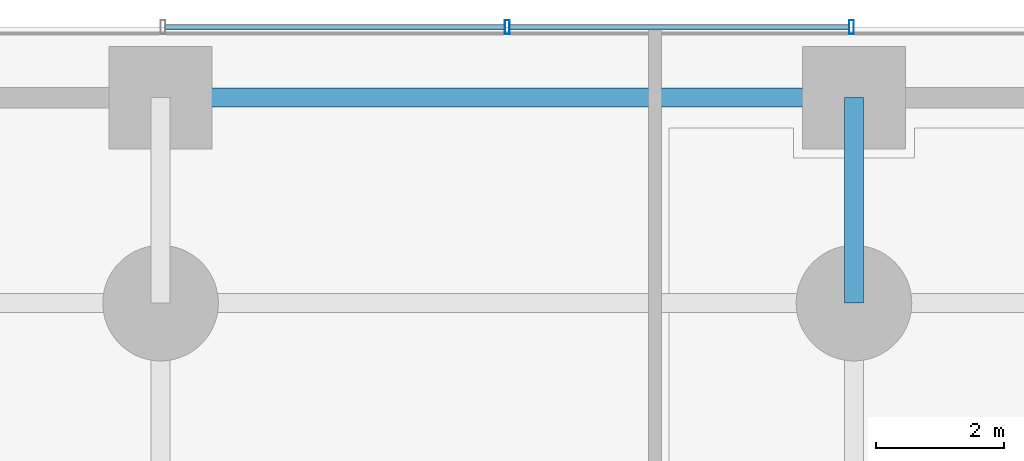
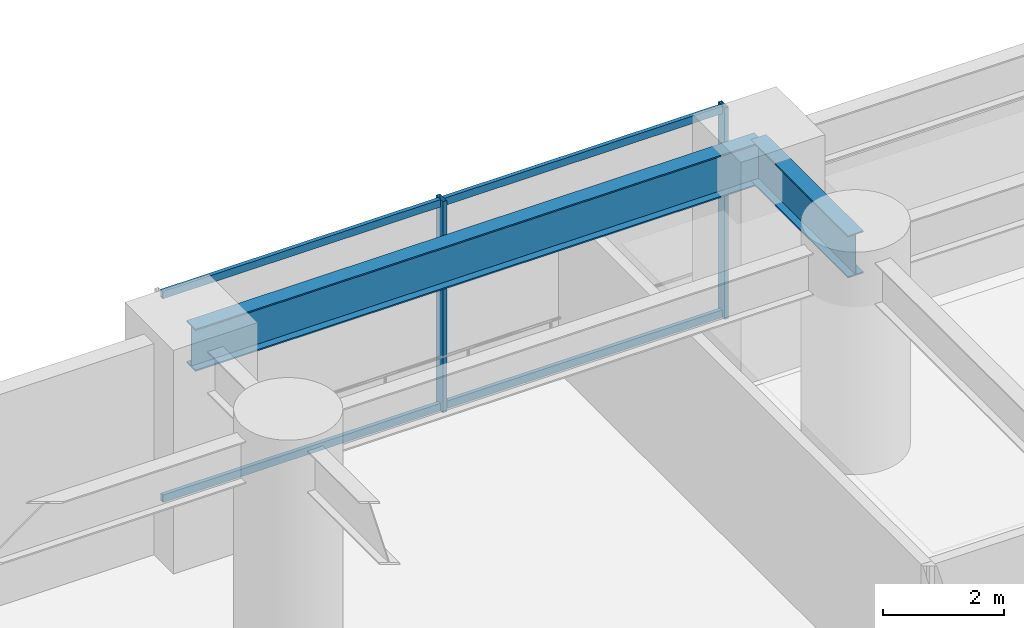
# One storey, part 15 of 36: 6 members, 2 beams, 1 element without a shape of its own.
"""IFC4 building model written with IfcOpenShell, lengths in metres."""

from ifc_helpers import new_model, si_unit, direction, frame, origin, origin_2d, place, context, subcontext, project, spatial, hollow_rectangle, i_section, extrude, material, layer, layer_set, material_profile, profile_set, type_object, element, aggregate, save


model = new_model("IFC4")

# Units and contexts
model_context = context("Model", 3, precision=1e-05, world=origin(), true_north=direction((0.0, 1.0)))
body_context = subcontext(model_context, "Body", "Model", "MODEL_VIEW")
ifc_project = project(units=[si_unit("LENGTHUNIT", "METRE"), si_unit("AREAUNIT", "SQUARE_METRE"), si_unit("VOLUMEUNIT", "CUBIC_METRE"), si_unit("PLANEANGLEUNIT", "RADIAN"), si_unit("MASSUNIT", "GRAM", prefix="KILO")], contexts=[model_context])

# Site, building, storey
site_placement = place(None, origin())
site = spatial("IfcSite", under=ifc_project, at=site_placement, CompositionType="ELEMENT")
building_placement = place(site_placement, origin())
building = spatial("IfcBuilding", under=site, at=building_placement, Name="Surkhivell Harbour Commons", CompositionType="ELEMENT")
storey_placement = place(building_placement, frame((0.0, 0.0, 9.0)))
storey = spatial("IfcBuildingStorey", under=building, at=storey_placement, Name="L02", CompositionType="ELEMENT", Elevation=9.0)

# Beams
ifc_material_1 = material(Name="Steel S460", Category="steel")
ifc_material_profile_1 = material_profile(ifc_material_1, i_section(OverallWidth=0.2939453125, OverallDepth=0.85107421875, WebThickness=0.01611328125, FlangeThickness=0.02685546875, at=origin_2d()), Name="UB838x292x226")
ifc_profile_set_1 = profile_set([ifc_material_profile_1], Name="Steel S460")
beam_type = type_object("IfcBeamType", Name="BM-SPN-838", PredefinedType="SPANDREL", material=ifc_profile_set_1)
beam_1_placement = place(storey_placement, frame((-21.60009765625, 24.800048828125, 3.824462890625), z_axis=(1.0, 0.0, 0.0), x_axis=(0.0, 1.0, 0.0)))
element("IfcBeam", 1, at=beam_1_placement, inside=storey, type_object=beam_type, Name="L02 Framing Beam (-21.6,24.8)", PredefinedType="SPANDREL", context=body_context, shape_type="SweptSolid", body=[
    extrude(i_section(OverallWidth=0.2939453125, OverallDepth=0.85107421875, WebThickness=0.01611328125, FlangeThickness=0.02685546875, at=origin_2d()), origin(), (0.0, 0.0, 1.0), 10.800048828125),
])
beam_2_placement = place(storey_placement, frame((-10.800048828125, 21.60009765625, 3.824462890625), z_axis=(0.0, 1.0, 0.0), x_axis=(-1.0, 0.0, 0.0)))
element("IfcBeam", 2, at=beam_2_placement, inside=storey, type_object=beam_type, Name="L02 Framing Beam (-10.8,21.6)", PredefinedType="SPANDREL", context=body_context, shape_type="SweptSolid", body=[
    extrude(i_section(OverallWidth=0.2939453125, OverallDepth=0.85107421875, WebThickness=0.01611328125, FlangeThickness=0.02685546875, at=origin_2d()), origin(), (0.0, 0.0, 1.0), 3.199951171875),
])

# Curtain wall, members
ifc_material_2 = material(Name="Anodised pale-metal aluminium and insulated glazing", Category="aluminium")
ifc_layer = layer(ifc_material_2, 0.239990234375)
ifc_layer_set = layer_set([ifc_layer], Name="Anodised pale-metal aluminium and insulated glazing")
curtain_wall_type = type_object("IfcCurtainWallType", Name="CW-SYS-POD", PredefinedType="NOTDEFINED", material=ifc_layer_set)
curtain_wall_placement = place(storey_placement, origin())
curtain_wall = element("IfcCurtainWall", 3, at=curtain_wall_placement, inside=storey, type_object=curtain_wall_type, Name="L02 Curtain Wall CW-L02-N3", PredefinedType="NOTDEFINED")
ifc_material_3 = material(Name="Anodised pale-metal aluminium alloy 6063-T6", Category="aluminium")
ifc_material_profile_2 = material_profile(ifc_material_3, hollow_rectangle(XDim=0.074951171875, YDim=0.219970703125, WallThickness=0.00390625, at=origin_2d()), Name="ALU-MULL-75x220")
ifc_profile_set_2 = profile_set([ifc_material_profile_2], Name="Anodised pale-metal aluminium alloy 6063-T6")
member_type_1 = type_object("IfcMemberType", Name="CWM-220", PredefinedType="MULLION", material=ifc_profile_set_2)
member_1_placement = place(storey_placement, frame((-16.199951171875, 25.89990234375, 0.0), z_axis=(0.0, 0.0, 1.0), x_axis=(1.0, 0.0, 0.0)))
member_1 = element("IfcMember", 4, at=member_1_placement, type_object=member_type_1, Name="CW-POD mullion 2", PredefinedType="MULLION", context=body_context, shape_type="SweptSolid", body=[
    extrude(hollow_rectangle(XDim=0.074951171875, YDim=0.219970703125, WallThickness=0.00390625, at=origin_2d()), origin(), (0.0, 0.0, 1.0), 4.25),
])
member_2_placement = place(storey_placement, frame((-10.83740234375, 25.89990234375, 0.0), z_axis=(0.0, 0.0, 1.0), x_axis=(1.0, 0.0, 0.0)))
member_2 = element("IfcMember", 5, at=member_2_placement, type_object=member_type_1, Name="CW-POD mullion 3", PredefinedType="MULLION", context=body_context, shape_type="SweptSolid", body=[
    extrude(hollow_rectangle(XDim=0.074951171875, YDim=0.219970703125, WallThickness=0.00390625, at=origin_2d()), origin(), (0.0, 0.0, 1.0), 4.25),
])
ifc_material_profile_3 = material_profile(ifc_material_3, hollow_rectangle(XDim=0.074951171875, YDim=0.14990234375, WallThickness=0.00341796875, at=origin_2d()), Name="ALU-TRAN-75x150")
ifc_profile_set_3 = profile_set([ifc_material_profile_3], Name="Anodised pale-metal aluminium alloy 6063-T6")
member_type_2 = type_object("IfcMemberType", Name="CWT-150", PredefinedType="USERDEFINED", material=ifc_profile_set_3)
member_3_placement = place(storey_placement, frame((-21.52490234375, 25.89990234375, 0.074951171875), z_axis=(1.0, 0.0, 0.0), x_axis=(0.0, 1.0, 0.0)))
member_3 = element("IfcMember", 6, at=member_3_placement, type_object=member_type_2, Name="CW-POD transom 1.1", ObjectType="TRANSOM", PredefinedType="USERDEFINED", context=body_context, shape_type="SweptSolid", body=[
    extrude(hollow_rectangle(XDim=0.074951171875, YDim=0.14990234375, WallThickness=0.00341796875, at=origin_2d()), origin(), (0.0, 0.0, 1.0), 5.287353515625),
])
member_4_placement = place(storey_placement, frame((-21.52490234375, 25.89990234375, 4.175048828125), z_axis=(1.0, 0.0, 0.0), x_axis=(0.0, 1.0, 0.0)))
member_4 = element("IfcMember", 7, at=member_4_placement, type_object=member_type_2, Name="CW-POD transom 1.2", ObjectType="TRANSOM", PredefinedType="USERDEFINED", context=body_context, shape_type="SweptSolid", body=[
    extrude(hollow_rectangle(XDim=0.074951171875, YDim=0.14990234375, WallThickness=0.00341796875, at=origin_2d()), origin(), (0.0, 0.0, 1.0), 5.287353515625),
])
member_5_placement = place(storey_placement, frame((-16.16259765625, 25.89990234375, 0.074951171875), z_axis=(1.0, 0.0, 0.0), x_axis=(0.0, 1.0, 0.0)))
member_5 = element("IfcMember", 8, at=member_5_placement, type_object=member_type_2, Name="CW-POD transom 2.1", ObjectType="TRANSOM", PredefinedType="USERDEFINED", context=body_context, shape_type="SweptSolid", body=[
    extrude(hollow_rectangle(XDim=0.074951171875, YDim=0.14990234375, WallThickness=0.00341796875, at=origin_2d()), origin(), (0.0, 0.0, 1.0), 5.28759765625),
])
member_6_placement = place(storey_placement, frame((-16.16259765625, 25.89990234375, 4.175048828125), z_axis=(1.0, 0.0, 0.0), x_axis=(0.0, 1.0, 0.0)))
member_6 = element("IfcMember", 9, at=member_6_placement, type_object=member_type_2, Name="CW-POD transom 2.2", ObjectType="TRANSOM", PredefinedType="USERDEFINED", context=body_context, shape_type="SweptSolid", body=[
    extrude(hollow_rectangle(XDim=0.074951171875, YDim=0.14990234375, WallThickness=0.00341796875, at=origin_2d()), origin(), (0.0, 0.0, 1.0), 5.28759765625),
])
aggregate(curtain_wall, [member_1, member_2, member_3, member_4, member_5, member_6])

save(model, "model.ifc")
